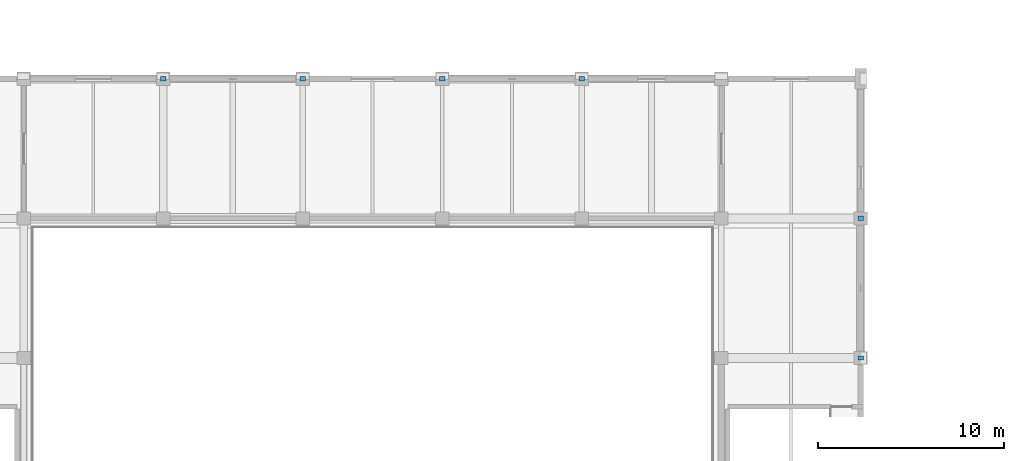
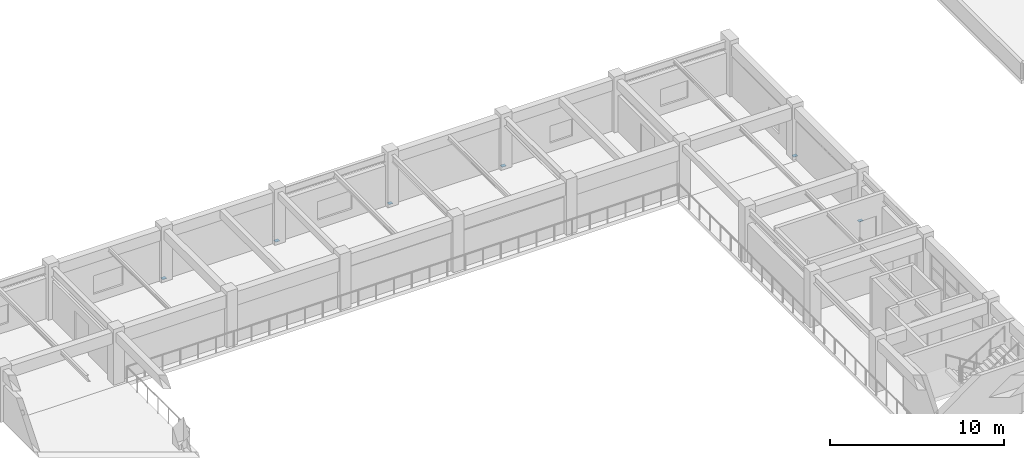
# One storey, part 86 of 101: 6 discrete accessories.
"""IFC4 building model written with IfcOpenShell, lengths in metres."""

from ifc_helpers import new_model, si_unit, direction, frame, origin, origin_2d, place, context, subcontext, project, spatial, rectangle, extrude, material, type_object, element, save


model = new_model("IFC4")

# Units and contexts
model_context = context("Model", 3, precision=1e-05, world=origin(), true_north=direction((0.0, 1.0)))
body_context = subcontext(model_context, "Body", "Model", "MODEL_VIEW")
ifc_project = project(units=[si_unit("LENGTHUNIT", "METRE"), si_unit("AREAUNIT", "SQUARE_METRE"), si_unit("VOLUMEUNIT", "CUBIC_METRE"), si_unit("PLANEANGLEUNIT", "RADIAN"), si_unit("MASSUNIT", "GRAM", prefix="KILO")], contexts=[model_context])

# Site, building, storey
site_placement = place(None, origin())
site = spatial("IfcSite", under=ifc_project, at=site_placement, CompositionType="ELEMENT")
building_placement = place(site_placement, origin())
building = spatial("IfcBuilding", under=site, at=building_placement, Name="Qasida Concert Hall", CompositionType="ELEMENT")
storey_placement = place(building_placement, frame((0.0, 0.0, 13.199951171875)))
storey = spatial("IfcBuildingStorey", under=building, at=storey_placement, Name="L03", CompositionType="ELEMENT", Elevation=13.199951171875)

# Discrete accessories
ifc_material = material(Name="Steel S355J2", Category="steel")
discrete_accessory_type = type_object("IfcDiscreteAccessoryType", Name="ACC-CONN-S355", PredefinedType="BRACKET", material=ifc_material)
for number, where, z_axis, x_axis, name in (
    (1, (105.0, 67.5, -0.011962890625), (0.0, 0.0, 1.0), (1.0, 0.0, 0.0), "Steel brace/strut end connection CN-0198"),
    (2, (105.0, 75.0, -0.011962890625), (0.0, 0.0, 1.0), (1.0, 0.0, 0.0), "Steel brace/strut end connection CN-0199"),
    (3, (67.5, 82.5, -0.011962890625), (0.0, 0.0, 1.0), (1.0, 0.0, 0.0), "Steel brace/strut end connection CN-0210"),
    (4, (75.0, 82.5, -0.011962890625), (0.0, 0.0, 1.0), (1.0, 0.0, 0.0), "Steel brace/strut end connection CN-0211"),
    (5, (82.5, 82.5, -0.011962890625), (0.0, 0.0, 1.0), (1.0, 0.0, 0.0), "Steel brace/strut end connection CN-0222"),
    (6, (90.0, 82.5, -0.011962890625), (0.0, 0.0, 1.0), (1.0, 0.0, 0.0), "Steel brace/strut end connection CN-0223"),
):
    element("IfcDiscreteAccessory", number, at=place(storey_placement, frame(where, z_axis=z_axis, x_axis=x_axis)), inside=storey, type_object=discrete_accessory_type, Name=name, PredefinedType="BRACKET", context=body_context, shape_type="SweptSolid", body=[
        extrude(rectangle(XDim=0.280029296875, YDim=0.239990234375, at=origin_2d()), origin(), (0.0, 0.0, 1.0), 0.02392578125),
    ])

save(model, "model.ifc")
